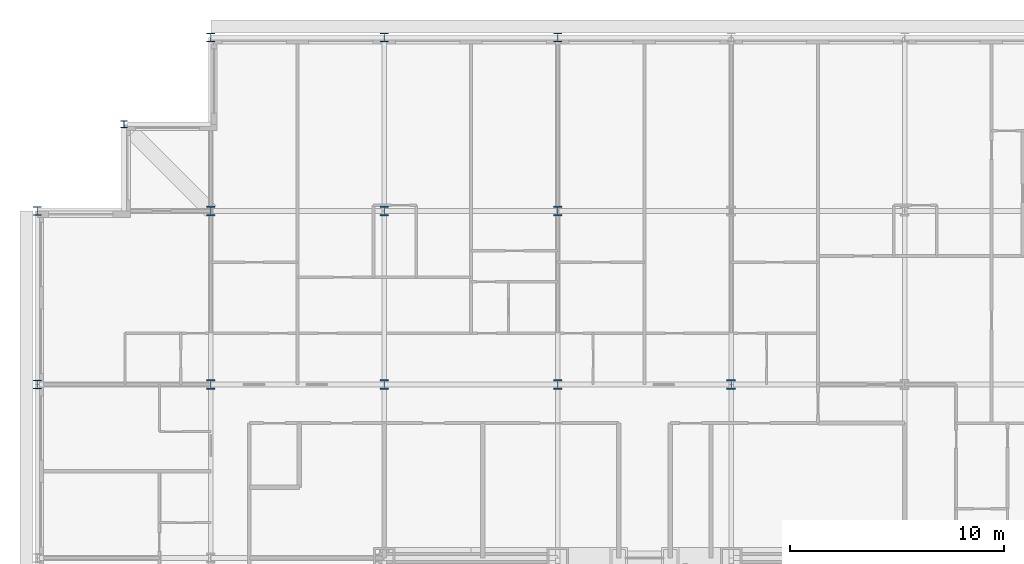
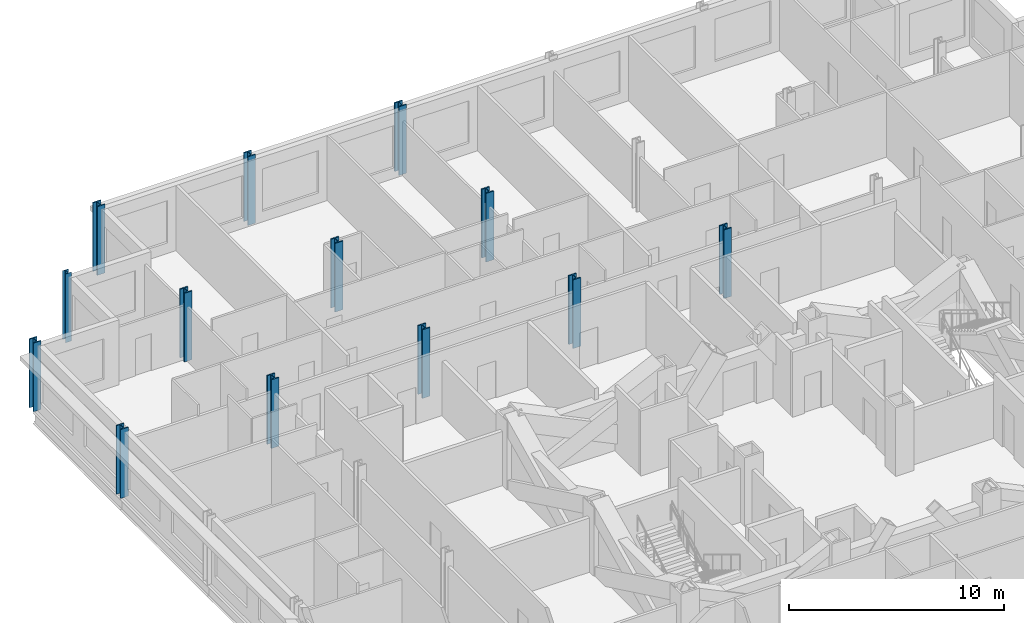
# One storey, part 3 of 16: 13 columns.
"""IFC4 building model written with IfcOpenShell, lengths in metres."""

import ifcopenshell
import ifcopenshell.guid

model = None  # the IFC model being written
_history = None  # IfcOwnerHistory: only IFC2X3 demands one
_inside = {}  # id of a spatial element -> (the spatial element, [elements in it])
_under = {}  # id of a project, library or spatial element -> (it, [spatial elements below it])
_declared = {}  # id of a project -> (the project, [libraries it declares])
_typed = {}  # id of a type object -> (the type object, [elements of that type])
_made_of = {}  # id of a material, layer set ... -> (it, [elements and type objects made of it])


def new_model(schema):
    """Start an empty IFC model of exactly this schema.

    Asked for "IFC4X3", IfcOpenShell would pick the latest addendum, in which some entities
    have other attributes; the version numbers below select the first issue.
    IFC2X3 requires an IfcOwnerHistory on every rooted entity: one is made here for all.
    """
    global model, _history
    if schema == "IFC4X3":
        model = ifcopenshell.file(schema_version=(4, 3, 0, 0))
    else:
        model = ifcopenshell.file(schema=schema)
    _inside.clear()
    _under.clear()
    _declared.clear()
    _typed.clear()
    _made_of.clear()
    _history = None
    if model.schema == "IFC2X3":
        org = make("IfcOrganization", Name="unknown")
        user = make(
            "IfcPersonAndOrganization",
            ThePerson=make("IfcPerson", FamilyName="unknown"),
            TheOrganization=org,
        )
        app = make(
            "IfcApplication",
            ApplicationDeveloper=org,
            Version="unknown",
            ApplicationFullName="unknown",
            ApplicationIdentifier="unknown",
        )
        _history = make(
            "IfcOwnerHistory",
            OwningUser=user,
            OwningApplication=app,
            ChangeAction="ADDED",
            CreationDate=0,
        )
    return model


def make(cls, **values):
    """One entity of the class cls with the attributes given. An attribute that is None is left unset."""
    return model.create_entity(
        cls, **{name: value for name, value in values.items() if value is not None}
    )


def rooted(cls, **values):
    """An entity with a GlobalId (a new one), such as an element, a storey or a relation."""
    return make(cls, GlobalId=ifcopenshell.guid.new(), OwnerHistory=_history, **values)


def si_unit(unit_type, name, prefix=None):
    """IfcSIUnit, for example si_unit("LENGTHUNIT", "METRE", prefix="MILLI")."""
    return make("IfcSIUnit", UnitType=unit_type, Prefix=prefix, Name=name)


def assignment(units):
    """IfcUnitAssignment: the units of a project."""
    return None if units is None else make("IfcUnitAssignment", Units=units)


def point(xyz):
    """IfcCartesianPoint."""
    return None if xyz is None else make("IfcCartesianPoint", Coordinates=xyz)


def direction(xyz):
    """IfcDirection."""
    return None if xyz is None else make("IfcDirection", DirectionRatios=xyz)


def frame(location, z_axis=None, x_axis=None):
    """IfcAxis2Placement3D, a coordinate frame: its origin and axes. An axis left out is left unset."""
    return make(
        "IfcAxis2Placement3D",
        Location=point(location),
        Axis=direction(z_axis),
        RefDirection=direction(x_axis),
    )


def frame_2d(location, x_axis=None):
    """IfcAxis2Placement2D, a coordinate frame in the plane: its origin and x axis."""
    return make(
        "IfcAxis2Placement2D", Location=point(location), RefDirection=direction(x_axis)
    )


def origin():
    """The frame at (0, 0, 0) with its axes left unset."""
    return frame((0.0, 0.0, 0.0))


def origin_2d():
    """The frame at (0, 0) in the plane with its x axis left unset."""
    return frame_2d((0.0, 0.0))


def place(relative_to, where):
    """IfcLocalPlacement: puts the frame where relative to a parent placement (None: the world)."""
    return make(
        "IfcLocalPlacement", PlacementRelTo=relative_to, RelativePlacement=where
    )


def context(
    kind, dimensions, precision=None, world=None, true_north=None, identifier=None
):
    """IfcGeometricRepresentationContext, for example the 3D "Model" context."""
    return make(
        "IfcGeometricRepresentationContext",
        ContextIdentifier=identifier,
        ContextType=kind,
        CoordinateSpaceDimension=dimensions,
        Precision=precision,
        WorldCoordinateSystem=world,
        TrueNorth=true_north,
    )


def subcontext(parent, identifier, kind, view, scale=None):
    """IfcGeometricRepresentationSubContext, for example "Body" below "Model"."""
    return make(
        "IfcGeometricRepresentationSubContext",
        ContextIdentifier=identifier,
        ContextType=kind,
        ParentContext=parent,
        TargetScale=scale,
        TargetView=view,
    )


def project(units=None, contexts=None):
    """IfcProject with its units and contexts."""
    return rooted(
        "IfcProject",
        Name="project",
        RepresentationContexts=contexts,
        UnitsInContext=assignment(units),
    )


def spatial(cls, under=None, at=None, **own):
    """A site, building, storey or space (cls), placed at a placement, below another one or the project."""
    s = rooted(cls, ObjectPlacement=at, **own)
    if under is not None:
        _under.setdefault(under.id(), (under, []))[1].append(s)
    return s


def profile(cls, at=None, kind="AREA", **sizes):
    """A parametric profile (cls). Its sizes go by their IFC names, for example OverallWidth=200.0."""
    return make(cls, ProfileType=kind, Position=at, **sizes)


def i_section(**sizes):
    """IfcIShapeProfileDef."""
    return profile("IfcIShapeProfileDef", **sizes)


def extrude(swept, where, along, depth):
    """IfcExtrudedAreaSolid: the profile swept, set in the frame where, extruded along a direction by depth."""
    return make(
        "IfcExtrudedAreaSolid",
        SweptArea=swept,
        Position=where,
        ExtrudedDirection=direction(along),
        Depth=depth,
    )


def shape(context_of_items, identifier, shape_type, items):
    """IfcShapeRepresentation: the items that make up one representation, for example the "Body"."""
    return make(
        "IfcShapeRepresentation",
        ContextOfItems=context_of_items,
        RepresentationIdentifier=identifier,
        RepresentationType=shape_type,
        Items=items,
    )


def material(Name=None, Category=None):
    """IfcMaterial."""
    return make("IfcMaterial", Name=Name, Category=Category)


def material_profile(
    of_material, cross_section, Name=None, Category=None, Priority=None
):
    """IfcMaterialProfile: a cross section and its material."""
    return make(
        "IfcMaterialProfile",
        Name=Name,
        Material=of_material,
        Profile=cross_section,
        Priority=Priority,
        Category=Category,
    )


def profile_set(profiles, Name=None, composite=None):
    """IfcMaterialProfileSet."""
    return make(
        "IfcMaterialProfileSet",
        Name=Name,
        MaterialProfiles=profiles,
        CompositeProfile=composite,
    )


def made_of(thing, what):
    """Note that an element or type object is made of a material, layer set ...; save() writes the relation."""
    if what is not None:
        _made_of.setdefault(what.id(), (what, []))[1].append(thing)
    return thing


def type_object(cls, material=None, **own):
    """A type object (cls), such as IfcWallType, which elements share."""
    return made_of(rooted(cls, **own), material)


def element(
    cls,
    number,
    at=None,
    inside=None,
    cuts=None,
    type_object=None,
    material=None,
    context=None,
    identifier="Body",
    shape_type=None,
    held_by="IfcProductDefinitionShape",
    body=None,
    shapes=None,
    **own,
):
    """One element of the class cls, such as IfcWall. Its Tag is "e" and its number.

    at: its placement. inside: the storey or other place that contains it. cuts: it is an
    opening in that element (IfcRelVoidsElement). A single representation is given by context,
    identifier, shape_type and body (its items); several are given by shapes. held_by: the class
    of the entity that holds the representations. save() writes the other relations.
    """
    e = rooted(cls, Tag="e%d" % number, ObjectPlacement=at, **own)
    if body is not None:
        shapes = [shape(context, identifier, shape_type, body)]
    if shapes is not None:
        e.Representation = make(held_by, Representations=shapes)
    if inside is not None:
        _inside.setdefault(inside.id(), (inside, []))[1].append(e)
    if cuts is not None:
        rooted(
            "IfcRelVoidsElement", RelatingBuildingElement=cuts, RelatedOpeningElement=e
        )
    if type_object is not None:
        _typed.setdefault(type_object.id(), (type_object, []))[1].append(e)
    return made_of(e, material)


def aggregate(whole, parts):
    """IfcRelAggregates: a whole, such as a stair, and the parts it consists of."""
    return rooted("IfcRelAggregates", RelatingObject=whole, RelatedObjects=parts)


def save(model, path):
    """Write the relations noted so far, then the file.

    IfcRelAggregates (storeys below a building ...), IfcRelContainedInSpatialStructure (elements
    in a storey), IfcRelDefinesByType, IfcRelAssociatesMaterial and IfcRelDeclares: one each for
    every whole, place, type object, material and project.
    """
    for whole, parts in _under.values():
        aggregate(whole, parts)
    for where, things in _inside.values():
        rooted(
            "IfcRelContainedInSpatialStructure",
            RelatedElements=things,
            RelatingStructure=where,
        )
    for kind, things in _typed.values():
        rooted("IfcRelDefinesByType", RelatedObjects=things, RelatingType=kind)
    for what, things in _made_of.values():
        rooted("IfcRelAssociatesMaterial", RelatedObjects=things, RelatingMaterial=what)
    for by, libraries in _declared.values():
        rooted("IfcRelDeclares", RelatingContext=by, RelatedDefinitions=libraries)
    model.write(path)


model = new_model("IFC4")

# Units and contexts
model_context = context("Model", 3, precision=1e-05, world=origin(), true_north=direction((0.0, 1.0)))
body_context = subcontext(model_context, "Body", "Model", "MODEL_VIEW")
ifc_project = project(units=[si_unit("LENGTHUNIT", "METRE"), si_unit("AREAUNIT", "SQUARE_METRE"), si_unit("VOLUMEUNIT", "CUBIC_METRE"), si_unit("PLANEANGLEUNIT", "RADIAN"), si_unit("MASSUNIT", "GRAM", prefix="KILO")], contexts=[model_context])

# Site, building, storey
site_placement = place(None, origin())
site = spatial("IfcSite", under=ifc_project, at=site_placement, CompositionType="ELEMENT")
building_placement = place(site_placement, origin())
building = spatial("IfcBuilding", under=site, at=building_placement, Name="Kopane Lantern Tower", CompositionType="ELEMENT")
storey_placement = place(building_placement, frame((0.0, 0.0, 261.89990234375)))
storey = spatial("IfcBuildingStorey", under=building, at=storey_placement, Name="L67", CompositionType="ELEMENT", Elevation=261.89990234375)

# Columns
ifc_material_1 = material(Name="Steel S355JR", Category="steel")
ifc_material_profile_1 = material_profile(ifc_material_1, i_section(OverallWidth=0.307373046875, OverallDepth=0.314453125, WebThickness=0.011962890625, FlangeThickness=0.018798828125, FilletRadius=0.01513671875, at=origin_2d()), Name="UC 305x305x118")
ifc_profile_set_1 = profile_set([ifc_material_profile_1], Name="Steel S355JR")
column_type_1 = type_object("IfcColumnType", Name="COLUMN UC 305x305x118", PredefinedType="COLUMN", material=ifc_profile_set_1)
column_placement = place(storey_placement, frame((4.050048828125, 60.75, 0.0), z_axis=(0.0, 0.0, 1.0), x_axis=(1.0, 0.0, 0.0)))
element("IfcColumn", 1, at=column_placement, inside=storey, type_object=column_type_1, Name="Column 4.05/60.75 L67", PredefinedType="COLUMN", context=body_context, shape_type="SweptSolid", body=[
    extrude(i_section(OverallWidth=0.307373046875, OverallDepth=0.314453125, WebThickness=0.011962890625, FlangeThickness=0.018798828125, FilletRadius=0.01513671875, at=origin_2d()), origin(), (0.0, 0.0, 1.0), 3.900146484375),
])
ifc_material_2 = material(Name="Steel S355JR", Category="steel")
ifc_material_profile_2 = material_profile(ifc_material_2, i_section(OverallWidth=0.412109375, OverallDepth=0.4365234375, WebThickness=0.035888671875, FlangeThickness=0.05810546875, FilletRadius=0.01513671875, at=origin_2d()), Name="UC 356x406x467")
ifc_profile_set_2 = profile_set([ifc_material_profile_2], Name="Steel S355JR")
column_type_2 = type_object("IfcColumnType", Name="COLUMN UC 356x406x467", PredefinedType="COLUMN", material=ifc_profile_set_2)
for number, where, z_axis, x_axis, name in (
    (2, (0.0, 48.60009765625, 0.0), (0.0, 0.0, 1.0), (1.0, 0.0, 0.0), "Column 2/H L67"),
    (3, (0.0, 56.699951171875, 0.0), (0.0, 0.0, 1.0), (1.0, 0.0, 0.0), "Column 2/J L67"),
    (4, (8.10009765625, 64.800048828125, 0.0), (0.0, 0.0, 1.0), (1.0, 0.0, 0.0), "Column 3/K L67"),
    (5, (16.199951171875, 64.800048828125, 0.0), (0.0, 0.0, 1.0), (1.0, 0.0, 0.0), "Column 4/K L67"),
    (6, (24.300048828125, 64.800048828125, 0.0), (0.0, 0.0, 1.0), (1.0, 0.0, 0.0), "Column 5/K L67"),
):
    element("IfcColumn", number, at=place(storey_placement, frame(where, z_axis=z_axis, x_axis=x_axis)), inside=storey, type_object=column_type_2, Name=name, PredefinedType="COLUMN", context=body_context, shape_type="SweptSolid", body=[
        extrude(i_section(OverallWidth=0.412109375, OverallDepth=0.4365234375, WebThickness=0.035888671875, FlangeThickness=0.05810546875, FilletRadius=0.01513671875, at=origin_2d()), origin(), (0.0, 0.0, 1.0), 3.900146484375),
    ])
ifc_material_3 = material(Name="Steel S355JR", Category="steel")
ifc_material_profile_3 = material_profile(ifc_material_3, i_section(OverallWidth=0.41845703125, OverallDepth=0.45556640625, WebThickness=0.0419921875, FlangeThickness=0.0673828125, FilletRadius=0.01513671875, at=origin_2d()), Name="UC 356x406x551")
ifc_profile_set_3 = profile_set([ifc_material_profile_3], Name="Steel S355JR")
column_type_3 = type_object("IfcColumnType", Name="COLUMN UC 356x406x551", PredefinedType="COLUMN", material=ifc_profile_set_3)
for number, where, z_axis, x_axis, name in (
    (7, (8.10009765625, 48.60009765625, 0.0), (0.0, 0.0, 1.0), (1.0, 0.0, 0.0), "Column 3/H L67"),
    (8, (8.10009765625, 56.699951171875, 0.0), (0.0, 0.0, 1.0), (1.0, 0.0, 0.0), "Column 3/J L67"),
    (9, (16.199951171875, 48.60009765625, 0.0), (0.0, 0.0, 1.0), (1.0, 0.0, 0.0), "Column 4/H L67"),
    (10, (16.199951171875, 56.699951171875, 0.0), (0.0, 0.0, 1.0), (1.0, 0.0, 0.0), "Column 4/J L67"),
    (11, (24.300048828125, 48.60009765625, 0.0), (0.0, 0.0, 1.0), (1.0, 0.0, 0.0), "Column 5/H L67"),
    (12, (24.300048828125, 56.699951171875, 0.0), (0.0, 0.0, 1.0), (1.0, 0.0, 0.0), "Column 5/J L67"),
    (13, (32.39990234375, 48.60009765625, 0.0), (0.0, 0.0, 1.0), (1.0, 0.0, 0.0), "Column 6/H L67"),
):
    element("IfcColumn", number, at=place(storey_placement, frame(where, z_axis=z_axis, x_axis=x_axis)), inside=storey, type_object=column_type_3, Name=name, PredefinedType="COLUMN", context=body_context, shape_type="SweptSolid", body=[
        extrude(i_section(OverallWidth=0.41845703125, OverallDepth=0.45556640625, WebThickness=0.0419921875, FlangeThickness=0.0673828125, FilletRadius=0.01513671875, at=origin_2d()), origin(), (0.0, 0.0, 1.0), 3.900146484375),
    ])

save(model, "model.ifc")
